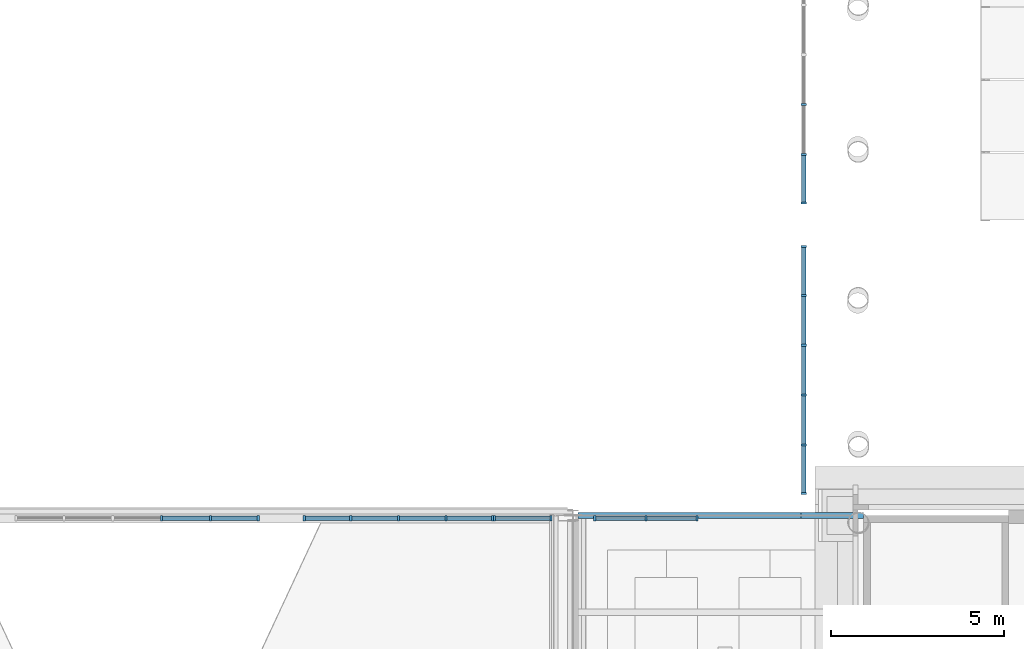
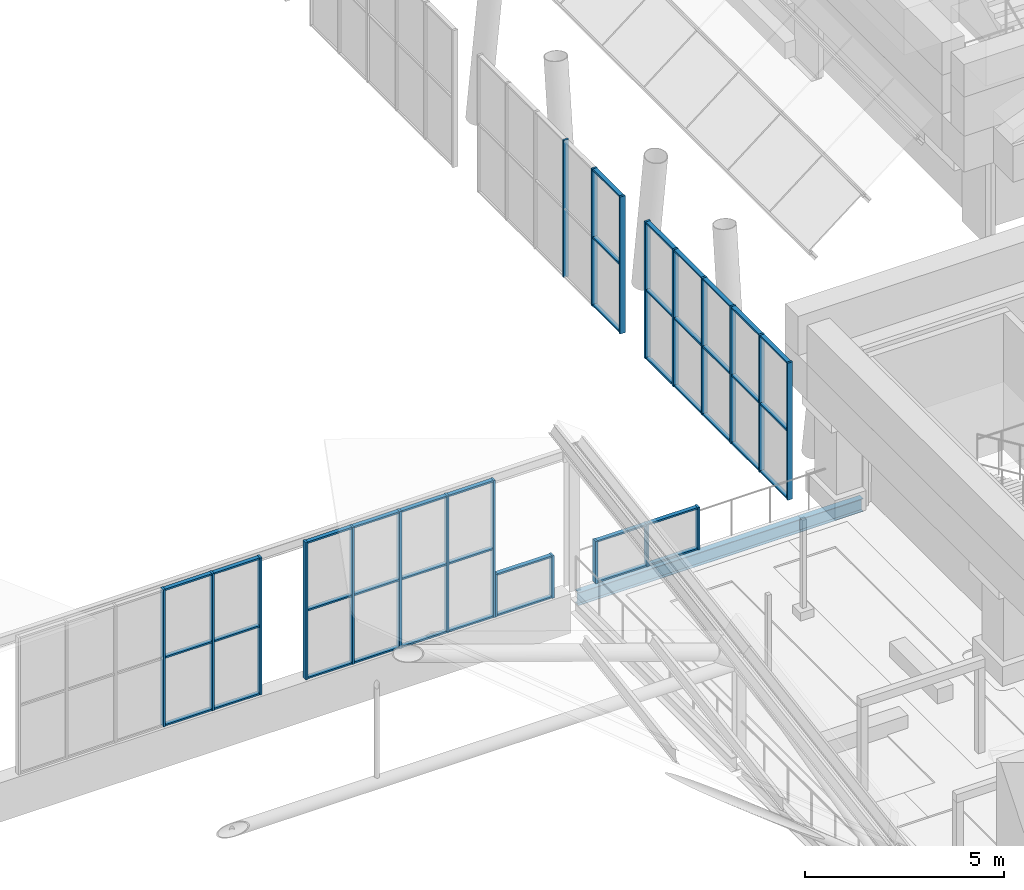
# One storey, part 26 of 76: 64 members, 2 beams, 6 elements without a shape of their own.
"""IFC4 building model written with IfcOpenShell, lengths in metres."""

from ifc_helpers import new_model, si_unit, direction, frame, origin, origin_2d, place, context, subcontext, project, spatial, rectangle, i_section, extrude, material, material_profile, profile_set, type_object, element, aggregate, save


model = new_model("IFC4")

# Units and contexts
model_context = context("Model", 3, precision=1e-05, world=origin(), true_north=direction((0.0, 1.0)))
body_context = subcontext(model_context, "Body", "Model", "MODEL_VIEW")
ifc_project = project(units=[si_unit("LENGTHUNIT", "METRE"), si_unit("AREAUNIT", "SQUARE_METRE"), si_unit("VOLUMEUNIT", "CUBIC_METRE"), si_unit("PLANEANGLEUNIT", "RADIAN"), si_unit("MASSUNIT", "GRAM", prefix="KILO")], contexts=[model_context])

# Site, building, storey
site_placement = place(None, origin())
site = spatial("IfcSite", under=ifc_project, at=site_placement, CompositionType="ELEMENT")
building_placement = place(site_placement, origin())
building = spatial("IfcBuilding", under=site, at=building_placement, Name="Sava Quay Ferry Terminal", CompositionType="ELEMENT")
storey_placement = place(building_placement, frame((0.0, 0.0, 10.800048828125)))
storey = spatial("IfcBuildingStorey", under=building, at=storey_placement, Name="L02", CompositionType="ELEMENT", Elevation=10.800048828125)

# Beams
ifc_material_1 = material(Name="Steel S355", Category="steel")
ifc_material_profile_1 = material_profile(ifc_material_1, i_section(OverallWidth=0.179931640625, OverallDepth=0.39990234375, WebThickness=0.008544921875, FlangeThickness=0.013427734375, at=origin_2d()), Name="IPE 400")
ifc_profile_set_1 = profile_set([ifc_material_profile_1], Name="Steel S355")
beam_type = type_object("IfcBeamType", Name="Beam IPE 400", PredefinedType="BEAM", material=ifc_profile_set_1)
beam_1_placement = place(storey_placement, frame((75.75, 50.39990234375, -0.35009765625), z_axis=(1.0, 0.0, 0.0), x_axis=(0.0, 1.0, 0.0)))
element("IfcBeam", 1, at=beam_1_placement, inside=storey, type_object=beam_type, Name="Beam L02", PredefinedType="BEAM", context=body_context, shape_type="SweptSolid", body=[
    extrude(i_section(OverallWidth=0.179931640625, OverallDepth=0.39990234375, WebThickness=0.008544921875, FlangeThickness=0.013427734375, at=origin_2d()), origin(), (0.0, 0.0, 1.0), 6.449951171875),
])
beam_2_placement = place(storey_placement, frame((82.199951171875, 50.39990234375, -0.35009765625), z_axis=(1.0, 0.0, 0.0), x_axis=(0.0, 1.0, 0.0)))
element("IfcBeam", 2, at=beam_2_placement, inside=storey, type_object=beam_type, Name="Beam L02", PredefinedType="BEAM", context=body_context, shape_type="SweptSolid", body=[
    extrude(i_section(OverallWidth=0.179931640625, OverallDepth=0.39990234375, WebThickness=0.008544921875, FlangeThickness=0.013427734375, at=origin_2d()), origin(), (0.0, 0.0, 1.0), 1.800048828125),
])

# Curtain wall, members
ifc_material_2 = material(Name="Aluminium and glass curtain wall, double low-e glazed", Category="aluminium")
curtain_wall_type_1 = type_object("IfcCurtainWallType", Name="Curtain wall CW-F flank", PredefinedType="NOTDEFINED", material=ifc_material_2)
curtain_wall_1_placement = place(storey_placement, origin())
curtain_wall_1 = element("IfcCurtainWall", 3, at=curtain_wall_1_placement, inside=storey, type_object=curtain_wall_type_1, Name="Curtain wall D-E L02 bay 1", PredefinedType="NOTDEFINED")
ifc_material_3 = material(Name="Aluminium EN AW-6063 T6", Category="aluminium")
ifc_material_profile_2 = material_profile(ifc_material_3, rectangle(XDim=0.14990234375, YDim=0.06005859375, at=origin_2d()), Name="Mullion 60x150 aluminium")
ifc_profile_set_2 = profile_set([ifc_material_profile_2], Name="Aluminium EN AW-6063 T6")
member_type_1 = type_object("IfcMemberType", Name="Mullion 60x150 aluminium", PredefinedType="MULLION", material=ifc_profile_set_2)
member_1_placement = place(storey_placement, frame((82.27490234375, 51.030029296875, 0.0), z_axis=(0.0, 0.0, 1.0), x_axis=(-1.0, 0.0, 0.0)))
member_1 = element("IfcMember", 4, at=member_1_placement, type_object=member_type_1, Name="CW38 mullion 1", PredefinedType="MULLION", context=body_context, shape_type="SweptSolid", body=[
    extrude(rectangle(XDim=0.14990234375, YDim=0.06005859375, at=origin_2d()), origin(), (0.0, 0.0, 1.0), 4.199951171875),
])
member_2_placement = place(storey_placement, frame((82.27490234375, 52.43994140625, 0.0), z_axis=(0.0, 0.0, 1.0), x_axis=(-1.0, 0.0, 0.0)))
member_2 = element("IfcMember", 5, at=member_2_placement, type_object=member_type_1, Name="CW38 mullion 2", PredefinedType="MULLION", context=body_context, shape_type="SweptSolid", body=[
    extrude(rectangle(XDim=0.14990234375, YDim=0.06005859375, at=origin_2d()), origin(), (0.0, 0.0, 1.0), 4.199951171875),
])
member_3_placement = place(storey_placement, frame((82.27490234375, 53.8798828125, 0.0), z_axis=(0.0, 0.0, 1.0), x_axis=(-1.0, 0.0, 0.0)))
member_3 = element("IfcMember", 6, at=member_3_placement, type_object=member_type_1, Name="CW38 mullion 3", PredefinedType="MULLION", context=body_context, shape_type="SweptSolid", body=[
    extrude(rectangle(XDim=0.14990234375, YDim=0.06005859375, at=origin_2d()), origin(), (0.0, 0.0, 1.0), 4.199951171875),
])
member_4_placement = place(storey_placement, frame((82.27490234375, 55.320068359375, 0.0), z_axis=(0.0, 0.0, 1.0), x_axis=(-1.0, 0.0, 0.0)))
member_4 = element("IfcMember", 7, at=member_4_placement, type_object=member_type_1, Name="CW38 mullion 4", PredefinedType="MULLION", context=body_context, shape_type="SweptSolid", body=[
    extrude(rectangle(XDim=0.14990234375, YDim=0.06005859375, at=origin_2d()), origin(), (0.0, 0.0, 1.0), 4.199951171875),
])
member_5_placement = place(storey_placement, frame((82.27490234375, 56.760009765625, 0.0), z_axis=(0.0, 0.0, 1.0), x_axis=(-1.0, 0.0, 0.0)))
member_5 = element("IfcMember", 8, at=member_5_placement, type_object=member_type_1, Name="CW38 mullion 5", PredefinedType="MULLION", context=body_context, shape_type="SweptSolid", body=[
    extrude(rectangle(XDim=0.14990234375, YDim=0.06005859375, at=origin_2d()), origin(), (0.0, 0.0, 1.0), 4.199951171875),
])
member_6_placement = place(storey_placement, frame((82.27490234375, 58.169921875, 0.0), z_axis=(0.0, 0.0, 1.0), x_axis=(-1.0, 0.0, 0.0)))
member_6 = element("IfcMember", 9, at=member_6_placement, type_object=member_type_1, Name="CW38 mullion 6", PredefinedType="MULLION", context=body_context, shape_type="SweptSolid", body=[
    extrude(rectangle(XDim=0.14990234375, YDim=0.06005859375, at=origin_2d()), origin(), (0.0, 0.0, 1.0), 4.199951171875),
])

curtain_wall_2_placement = place(storey_placement, origin())
curtain_wall_2 = element("IfcCurtainWall", 10, at=curtain_wall_2_placement, inside=storey, type_object=curtain_wall_type_1, Name="Curtain wall D-E L02 bay 2", PredefinedType="NOTDEFINED")
member_7_placement = place(storey_placement, frame((82.27490234375, 59.429931640625, 0.0), z_axis=(0.0, 0.0, 1.0), x_axis=(-1.0, 0.0, 0.0)))
member_7 = element("IfcMember", 11, at=member_7_placement, type_object=member_type_1, Name="CW42 mullion 1", PredefinedType="MULLION", context=body_context, shape_type="SweptSolid", body=[
    extrude(rectangle(XDim=0.14990234375, YDim=0.06005859375, at=origin_2d()), origin(), (0.0, 0.0, 1.0), 4.199951171875),
])
member_8_placement = place(storey_placement, frame((82.27490234375, 60.840087890625, 0.0), z_axis=(0.0, 0.0, 1.0), x_axis=(-1.0, 0.0, 0.0)))
member_8 = element("IfcMember", 12, at=member_8_placement, type_object=member_type_1, Name="CW42 mullion 2", PredefinedType="MULLION", context=body_context, shape_type="SweptSolid", body=[
    extrude(rectangle(XDim=0.14990234375, YDim=0.06005859375, at=origin_2d()), origin(), (0.0, 0.0, 1.0), 4.199951171875),
])
member_9_placement = place(storey_placement, frame((82.27490234375, 62.280029296875, 0.0), z_axis=(0.0, 0.0, 1.0), x_axis=(-1.0, 0.0, 0.0)))
member_9 = element("IfcMember", 13, at=member_9_placement, type_object=member_type_1, Name="CW42 mullion 3", PredefinedType="MULLION", context=body_context, shape_type="SweptSolid", body=[
    extrude(rectangle(XDim=0.14990234375, YDim=0.06005859375, at=origin_2d()), origin(), (0.0, 0.0, 1.0), 4.199951171875),
])

ifc_material_4 = material(Name="Aluminium and glass curtain wall, double low-e glazed", Category="aluminium")
curtain_wall_type_2 = type_object("IfcCurtainWallType", Name="Curtain wall CW-G gable", PredefinedType="NOTDEFINED", material=ifc_material_4)
curtain_wall_3_placement = place(storey_placement, origin())
curtain_wall_3 = element("IfcCurtainWall", 14, at=curtain_wall_3_placement, inside=storey, type_object=curtain_wall_type_2, Name="Curtain wall D-S L02 bay 31", PredefinedType="NOTDEFINED")
member_10_placement = place(storey_placement, frame((63.7060546875, 50.31494140625, 0.0), z_axis=(0.0, 0.0, 1.0), x_axis=(0.0, 1.0, 0.0)))
member_10 = element("IfcMember", 15, at=member_10_placement, type_object=member_type_1, Name="CW91 mullion 4", PredefinedType="MULLION", context=body_context, shape_type="SweptSolid", body=[
    extrude(rectangle(XDim=0.14990234375, YDim=0.06005859375, at=origin_2d()), origin(), (0.0, 0.0, 1.0), 4.199951171875),
])
member_11_placement = place(storey_placement, frame((65.117919921875, 50.31494140625, 0.0), z_axis=(0.0, 0.0, 1.0), x_axis=(0.0, 1.0, 0.0)))
member_11 = element("IfcMember", 16, at=member_11_placement, type_object=member_type_1, Name="CW91 mullion 5", PredefinedType="MULLION", context=body_context, shape_type="SweptSolid", body=[
    extrude(rectangle(XDim=0.14990234375, YDim=0.06005859375, at=origin_2d()), origin(), (0.0, 0.0, 1.0), 4.199951171875),
])
member_12_placement = place(storey_placement, frame((66.5, 50.31494140625, 0.0), z_axis=(0.0, 0.0, 1.0), x_axis=(0.0, 1.0, 0.0)))
member_12 = element("IfcMember", 17, at=member_12_placement, type_object=member_type_1, Name="CW91 mullion 6", PredefinedType="MULLION", context=body_context, shape_type="SweptSolid", body=[
    extrude(rectangle(XDim=0.14990234375, YDim=0.06005859375, at=origin_2d()), origin(), (0.0, 0.0, 1.0), 4.199951171875),
])

curtain_wall_4_placement = place(storey_placement, origin())
curtain_wall_4 = element("IfcCurtainWall", 18, at=curtain_wall_4_placement, inside=storey, type_object=curtain_wall_type_2, Name="Curtain wall D-S L02 bay 41", PredefinedType="NOTDEFINED")
member_13_placement = place(storey_placement, frame((67.830078125, 50.31494140625, 0.0), z_axis=(0.0, 0.0, 1.0), x_axis=(0.0, 1.0, 0.0)))
member_13 = element("IfcMember", 19, at=member_13_placement, type_object=member_type_1, Name="CW93 mullion 1", PredefinedType="MULLION", context=body_context, shape_type="SweptSolid", body=[
    extrude(rectangle(XDim=0.14990234375, YDim=0.06005859375, at=origin_2d()), origin(), (0.0, 0.0, 1.0), 4.199951171875),
])
member_14_placement = place(storey_placement, frame((69.175048828125, 50.31494140625, 0.0), z_axis=(0.0, 0.0, 1.0), x_axis=(0.0, 1.0, 0.0)))
member_14 = element("IfcMember", 20, at=member_14_placement, type_object=member_type_1, Name="CW93 mullion 2", PredefinedType="MULLION", context=body_context, shape_type="SweptSolid", body=[
    extrude(rectangle(XDim=0.14990234375, YDim=0.06005859375, at=origin_2d()), origin(), (0.0, 0.0, 1.0), 4.199951171875),
])
member_15_placement = place(storey_placement, frame((70.550048828125, 50.31494140625, 0.0), z_axis=(0.0, 0.0, 1.0), x_axis=(0.0, 1.0, 0.0)))
member_15 = element("IfcMember", 21, at=member_15_placement, type_object=member_type_1, Name="CW93 mullion 3", PredefinedType="MULLION", context=body_context, shape_type="SweptSolid", body=[
    extrude(rectangle(XDim=0.14990234375, YDim=0.06005859375, at=origin_2d()), origin(), (0.0, 0.0, 1.0), 4.199951171875),
])
member_16_placement = place(storey_placement, frame((71.925048828125, 50.31494140625, 0.0), z_axis=(0.0, 0.0, 1.0), x_axis=(0.0, 1.0, 0.0)))
member_16 = element("IfcMember", 22, at=member_16_placement, type_object=member_type_1, Name="CW93 mullion 4", PredefinedType="MULLION", context=body_context, shape_type="SweptSolid", body=[
    extrude(rectangle(XDim=0.14990234375, YDim=0.06005859375, at=origin_2d()), origin(), (0.0, 0.0, 1.0), 4.199951171875),
])
member_17_placement = place(storey_placement, frame((73.27001953125, 50.31494140625, 0.0), z_axis=(0.0, 0.0, 1.0), x_axis=(0.0, 1.0, 0.0)))
member_17 = element("IfcMember", 23, at=member_17_placement, type_object=member_type_1, Name="CW93 mullion 5", PredefinedType="MULLION", context=body_context, shape_type="SweptSolid", body=[
    extrude(rectangle(XDim=0.14990234375, YDim=0.06005859375, at=origin_2d()), origin(), (0.0, 0.0, 1.0), 4.199951171875),
])

curtain_wall_5_placement = place(storey_placement, origin())
curtain_wall_5 = element("IfcCurtainWall", 24, at=curtain_wall_5_placement, inside=storey, type_object=curtain_wall_type_2, Name="Curtain wall D-S L02 bay 51", PredefinedType="NOTDEFINED")
member_18_placement = place(storey_placement, frame((73.330078125, 50.31494140625, 0.0), z_axis=(0.0, 0.0, 1.0), x_axis=(0.0, 1.0, 0.0)))
member_18 = element("IfcMember", 25, at=member_18_placement, type_object=member_type_1, Name="CW94 mullion 1", PredefinedType="MULLION", context=body_context, shape_type="SweptSolid", body=[
    extrude(rectangle(XDim=0.14990234375, YDim=0.06005859375, at=origin_2d()), origin(), (0.0, 0.0, 1.0), 1.300048828125),
])
member_19_placement = place(storey_placement, frame((74.969970703125, 50.31494140625, 0.0), z_axis=(0.0, 0.0, 1.0), x_axis=(0.0, 1.0, 0.0)))
member_19 = element("IfcMember", 26, at=member_19_placement, type_object=member_type_1, Name="CW94 mullion 2", PredefinedType="MULLION", context=body_context, shape_type="SweptSolid", body=[
    extrude(rectangle(XDim=0.14990234375, YDim=0.06005859375, at=origin_2d()), origin(), (0.0, 0.0, 1.0), 1.300048828125),
])

curtain_wall_6_placement = place(storey_placement, origin())
curtain_wall_6 = element("IfcCurtainWall", 27, at=curtain_wall_6_placement, inside=storey, type_object=curtain_wall_type_2, Name="Curtain wall D-S L02 bay 52", PredefinedType="NOTDEFINED")
member_20_placement = place(storey_placement, frame((76.22998046875, 50.31494140625, 0.0), z_axis=(0.0, 0.0, 1.0), x_axis=(0.0, 1.0, 0.0)))
member_20 = element("IfcMember", 28, at=member_20_placement, type_object=member_type_1, Name="CW95 mullion 1", PredefinedType="MULLION", context=body_context, shape_type="SweptSolid", body=[
    extrude(rectangle(XDim=0.14990234375, YDim=0.06005859375, at=origin_2d()), origin(), (0.0, 0.0, 1.0), 1.300048828125),
])
member_21_placement = place(storey_placement, frame((77.7099609375, 50.31494140625, 0.0), z_axis=(0.0, 0.0, 1.0), x_axis=(0.0, 1.0, 0.0)))
member_21 = element("IfcMember", 29, at=member_21_placement, type_object=member_type_1, Name="CW95 mullion 2", PredefinedType="MULLION", context=body_context, shape_type="SweptSolid", body=[
    extrude(rectangle(XDim=0.14990234375, YDim=0.06005859375, at=origin_2d()), origin(), (0.0, 0.0, 1.0), 1.300048828125),
])
member_22_placement = place(storey_placement, frame((79.18994140625, 50.31494140625, 0.0), z_axis=(0.0, 0.0, 1.0), x_axis=(0.0, 1.0, 0.0)))
member_22 = element("IfcMember", 30, at=member_22_placement, type_object=member_type_1, Name="CW95 mullion 3", PredefinedType="MULLION", context=body_context, shape_type="SweptSolid", body=[
    extrude(rectangle(XDim=0.14990234375, YDim=0.06005859375, at=origin_2d()), origin(), (0.0, 0.0, 1.0), 1.300048828125),
])

# Member
ifc_material_5 = material(Name="Aluminium EN AW-6063 T6", Category="aluminium")
ifc_material_profile_3 = material_profile(ifc_material_5, rectangle(XDim=0.1201171875, YDim=0.050048828125, at=origin_2d()), Name="Transom 50x120 aluminium")
ifc_profile_set_3 = profile_set([ifc_material_profile_3], Name="Aluminium EN AW-6063 T6")
member_type_2 = type_object("IfcMemberType", Name="Transom 50x120 aluminium", PredefinedType="USERDEFINED", material=ifc_profile_set_3)
member_23_placement = place(storey_placement, frame((82.27490234375, 51.06005859375, 0.02490234375), z_axis=(0.0, 1.0, 0.0), x_axis=(-1.0, 0.0, 0.0)))
member_23 = element("IfcMember", 31, at=member_23_placement, type_object=member_type_2, Name="CW38 transom 1.1", ObjectType="TRANSOM", PredefinedType="USERDEFINED", context=body_context, shape_type="SweptSolid", body=[
    extrude(rectangle(XDim=0.1201171875, YDim=0.050048828125, at=origin_2d()), origin(), (0.0, 0.0, 1.0), 1.349853515625),
])

member_24_placement = place(storey_placement, frame((82.27490234375, 51.06005859375, 2.099853515625), z_axis=(0.0, 1.0, 0.0), x_axis=(-1.0, 0.0, 0.0)))
member_24 = element("IfcMember", 32, at=member_24_placement, type_object=member_type_2, Name="CW38 transom 1.2", ObjectType="TRANSOM", PredefinedType="USERDEFINED", context=body_context, shape_type="SweptSolid", body=[
    extrude(rectangle(XDim=0.1201171875, YDim=0.050048828125, at=origin_2d()), origin(), (0.0, 0.0, 1.0), 1.349853515625),
])

member_25_placement = place(storey_placement, frame((82.27490234375, 51.06005859375, 4.175048828125), z_axis=(0.0, 1.0, 0.0), x_axis=(-1.0, 0.0, 0.0)))
member_25 = element("IfcMember", 33, at=member_25_placement, type_object=member_type_2, Name="CW38 transom 1.3", ObjectType="TRANSOM", PredefinedType="USERDEFINED", context=body_context, shape_type="SweptSolid", body=[
    extrude(rectangle(XDim=0.1201171875, YDim=0.050048828125, at=origin_2d()), origin(), (0.0, 0.0, 1.0), 1.349853515625),
])

member_26_placement = place(storey_placement, frame((82.27490234375, 52.469970703125, 0.02490234375), z_axis=(0.0, 1.0, 0.0), x_axis=(-1.0, 0.0, 0.0)))
member_26 = element("IfcMember", 34, at=member_26_placement, type_object=member_type_2, Name="CW38 transom 2.1", ObjectType="TRANSOM", PredefinedType="USERDEFINED", context=body_context, shape_type="SweptSolid", body=[
    extrude(rectangle(XDim=0.1201171875, YDim=0.050048828125, at=origin_2d()), origin(), (0.0, 0.0, 1.0), 1.380126953125),
])

member_27_placement = place(storey_placement, frame((82.27490234375, 52.469970703125, 2.099853515625), z_axis=(0.0, 1.0, 0.0), x_axis=(-1.0, 0.0, 0.0)))
member_27 = element("IfcMember", 35, at=member_27_placement, type_object=member_type_2, Name="CW38 transom 2.2", ObjectType="TRANSOM", PredefinedType="USERDEFINED", context=body_context, shape_type="SweptSolid", body=[
    extrude(rectangle(XDim=0.1201171875, YDim=0.050048828125, at=origin_2d()), origin(), (0.0, 0.0, 1.0), 1.380126953125),
])

member_28_placement = place(storey_placement, frame((82.27490234375, 52.469970703125, 4.175048828125), z_axis=(0.0, 1.0, 0.0), x_axis=(-1.0, 0.0, 0.0)))
member_28 = element("IfcMember", 36, at=member_28_placement, type_object=member_type_2, Name="CW38 transom 2.3", ObjectType="TRANSOM", PredefinedType="USERDEFINED", context=body_context, shape_type="SweptSolid", body=[
    extrude(rectangle(XDim=0.1201171875, YDim=0.050048828125, at=origin_2d()), origin(), (0.0, 0.0, 1.0), 1.380126953125),
])

member_29_placement = place(storey_placement, frame((82.27490234375, 53.909912109375, 0.02490234375), z_axis=(0.0, 1.0, 0.0), x_axis=(-1.0, 0.0, 0.0)))
member_29 = element("IfcMember", 37, at=member_29_placement, type_object=member_type_2, Name="CW38 transom 3.1", ObjectType="TRANSOM", PredefinedType="USERDEFINED", context=body_context, shape_type="SweptSolid", body=[
    extrude(rectangle(XDim=0.1201171875, YDim=0.050048828125, at=origin_2d()), origin(), (0.0, 0.0, 1.0), 1.380126953125),
])

member_30_placement = place(storey_placement, frame((82.27490234375, 53.909912109375, 2.099853515625), z_axis=(0.0, 1.0, 0.0), x_axis=(-1.0, 0.0, 0.0)))
member_30 = element("IfcMember", 38, at=member_30_placement, type_object=member_type_2, Name="CW38 transom 3.2", ObjectType="TRANSOM", PredefinedType="USERDEFINED", context=body_context, shape_type="SweptSolid", body=[
    extrude(rectangle(XDim=0.1201171875, YDim=0.050048828125, at=origin_2d()), origin(), (0.0, 0.0, 1.0), 1.380126953125),
])

member_31_placement = place(storey_placement, frame((82.27490234375, 53.909912109375, 4.175048828125), z_axis=(0.0, 1.0, 0.0), x_axis=(-1.0, 0.0, 0.0)))
member_31 = element("IfcMember", 39, at=member_31_placement, type_object=member_type_2, Name="CW38 transom 3.3", ObjectType="TRANSOM", PredefinedType="USERDEFINED", context=body_context, shape_type="SweptSolid", body=[
    extrude(rectangle(XDim=0.1201171875, YDim=0.050048828125, at=origin_2d()), origin(), (0.0, 0.0, 1.0), 1.380126953125),
])

member_32_placement = place(storey_placement, frame((82.27490234375, 55.35009765625, 0.02490234375), z_axis=(0.0, 1.0, 0.0), x_axis=(-1.0, 0.0, 0.0)))
member_32 = element("IfcMember", 40, at=member_32_placement, type_object=member_type_2, Name="CW38 transom 4.1", ObjectType="TRANSOM", PredefinedType="USERDEFINED", context=body_context, shape_type="SweptSolid", body=[
    extrude(rectangle(XDim=0.1201171875, YDim=0.050048828125, at=origin_2d()), origin(), (0.0, 0.0, 1.0), 1.3798828125),
])

member_33_placement = place(storey_placement, frame((82.27490234375, 55.35009765625, 2.099853515625), z_axis=(0.0, 1.0, 0.0), x_axis=(-1.0, 0.0, 0.0)))
member_33 = element("IfcMember", 41, at=member_33_placement, type_object=member_type_2, Name="CW38 transom 4.2", ObjectType="TRANSOM", PredefinedType="USERDEFINED", context=body_context, shape_type="SweptSolid", body=[
    extrude(rectangle(XDim=0.1201171875, YDim=0.050048828125, at=origin_2d()), origin(), (0.0, 0.0, 1.0), 1.3798828125),
])

member_34_placement = place(storey_placement, frame((82.27490234375, 55.35009765625, 4.175048828125), z_axis=(0.0, 1.0, 0.0), x_axis=(-1.0, 0.0, 0.0)))
member_34 = element("IfcMember", 42, at=member_34_placement, type_object=member_type_2, Name="CW38 transom 4.3", ObjectType="TRANSOM", PredefinedType="USERDEFINED", context=body_context, shape_type="SweptSolid", body=[
    extrude(rectangle(XDim=0.1201171875, YDim=0.050048828125, at=origin_2d()), origin(), (0.0, 0.0, 1.0), 1.3798828125),
])

member_35_placement = place(storey_placement, frame((82.27490234375, 56.7900390625, 0.02490234375), z_axis=(0.0, 1.0, 0.0), x_axis=(-1.0, 0.0, 0.0)))
member_35 = element("IfcMember", 43, at=member_35_placement, type_object=member_type_2, Name="CW38 transom 5.1", ObjectType="TRANSOM", PredefinedType="USERDEFINED", context=body_context, shape_type="SweptSolid", body=[
    extrude(rectangle(XDim=0.1201171875, YDim=0.050048828125, at=origin_2d()), origin(), (0.0, 0.0, 1.0), 1.349853515625),
])

member_36_placement = place(storey_placement, frame((82.27490234375, 56.7900390625, 2.099853515625), z_axis=(0.0, 1.0, 0.0), x_axis=(-1.0, 0.0, 0.0)))
member_36 = element("IfcMember", 44, at=member_36_placement, type_object=member_type_2, Name="CW38 transom 5.2", ObjectType="TRANSOM", PredefinedType="USERDEFINED", context=body_context, shape_type="SweptSolid", body=[
    extrude(rectangle(XDim=0.1201171875, YDim=0.050048828125, at=origin_2d()), origin(), (0.0, 0.0, 1.0), 1.349853515625),
])

member_37_placement = place(storey_placement, frame((82.27490234375, 56.7900390625, 4.175048828125), z_axis=(0.0, 1.0, 0.0), x_axis=(-1.0, 0.0, 0.0)))
member_37 = element("IfcMember", 45, at=member_37_placement, type_object=member_type_2, Name="CW38 transom 5.3", ObjectType="TRANSOM", PredefinedType="USERDEFINED", context=body_context, shape_type="SweptSolid", body=[
    extrude(rectangle(XDim=0.1201171875, YDim=0.050048828125, at=origin_2d()), origin(), (0.0, 0.0, 1.0), 1.349853515625),
])

aggregate(curtain_wall_1, [member_1, member_2, member_3, member_4, member_5, member_6, member_23, member_24, member_25, member_26, member_27, member_28, member_29, member_30, member_31, member_32, member_33, member_34, member_35, member_36, member_37])

member_38_placement = place(storey_placement, frame((82.27490234375, 59.4599609375, 0.02490234375), z_axis=(0.0, 1.0, 0.0), x_axis=(-1.0, 0.0, 0.0)))
member_38 = element("IfcMember", 46, at=member_38_placement, type_object=member_type_2, Name="CW42 transom 1.1", ObjectType="TRANSOM", PredefinedType="USERDEFINED", context=body_context, shape_type="SweptSolid", body=[
    extrude(rectangle(XDim=0.1201171875, YDim=0.050048828125, at=origin_2d()), origin(), (0.0, 0.0, 1.0), 1.35009765625),
])

member_39_placement = place(storey_placement, frame((82.27490234375, 59.4599609375, 2.099853515625), z_axis=(0.0, 1.0, 0.0), x_axis=(-1.0, 0.0, 0.0)))
member_39 = element("IfcMember", 47, at=member_39_placement, type_object=member_type_2, Name="CW42 transom 1.2", ObjectType="TRANSOM", PredefinedType="USERDEFINED", context=body_context, shape_type="SweptSolid", body=[
    extrude(rectangle(XDim=0.1201171875, YDim=0.050048828125, at=origin_2d()), origin(), (0.0, 0.0, 1.0), 1.35009765625),
])

member_40_placement = place(storey_placement, frame((82.27490234375, 59.4599609375, 4.175048828125), z_axis=(0.0, 1.0, 0.0), x_axis=(-1.0, 0.0, 0.0)))
member_40 = element("IfcMember", 48, at=member_40_placement, type_object=member_type_2, Name="CW42 transom 1.3", ObjectType="TRANSOM", PredefinedType="USERDEFINED", context=body_context, shape_type="SweptSolid", body=[
    extrude(rectangle(XDim=0.1201171875, YDim=0.050048828125, at=origin_2d()), origin(), (0.0, 0.0, 1.0), 1.35009765625),
])

aggregate(curtain_wall_2, [member_7, member_8, member_9, member_38, member_39, member_40])

member_41_placement = place(storey_placement, frame((63.736083984375, 50.31494140625, 0.02490234375), z_axis=(1.0, 0.0, 0.0), x_axis=(0.0, 1.0, 0.0)))
member_41 = element("IfcMember", 49, at=member_41_placement, type_object=member_type_2, Name="CW91 transom 4.1", ObjectType="TRANSOM", PredefinedType="USERDEFINED", context=body_context, shape_type="SweptSolid", body=[
    extrude(rectangle(XDim=0.1201171875, YDim=0.050048828125, at=origin_2d()), origin(), (0.0, 0.0, 1.0), 1.351806640625),
])

member_42_placement = place(storey_placement, frame((63.736083984375, 50.31494140625, 2.099853515625), z_axis=(1.0, 0.0, 0.0), x_axis=(0.0, 1.0, 0.0)))
member_42 = element("IfcMember", 50, at=member_42_placement, type_object=member_type_2, Name="CW91 transom 4.2", ObjectType="TRANSOM", PredefinedType="USERDEFINED", context=body_context, shape_type="SweptSolid", body=[
    extrude(rectangle(XDim=0.1201171875, YDim=0.050048828125, at=origin_2d()), origin(), (0.0, 0.0, 1.0), 1.351806640625),
])

member_43_placement = place(storey_placement, frame((63.736083984375, 50.31494140625, 4.175048828125), z_axis=(1.0, 0.0, 0.0), x_axis=(0.0, 1.0, 0.0)))
member_43 = element("IfcMember", 51, at=member_43_placement, type_object=member_type_2, Name="CW91 transom 4.3", ObjectType="TRANSOM", PredefinedType="USERDEFINED", context=body_context, shape_type="SweptSolid", body=[
    extrude(rectangle(XDim=0.1201171875, YDim=0.050048828125, at=origin_2d()), origin(), (0.0, 0.0, 1.0), 1.351806640625),
])

member_44_placement = place(storey_placement, frame((65.14794921875, 50.31494140625, 0.02490234375), z_axis=(1.0, 0.0, 0.0), x_axis=(0.0, 1.0, 0.0)))
member_44 = element("IfcMember", 52, at=member_44_placement, type_object=member_type_2, Name="CW91 transom 5.1", ObjectType="TRANSOM", PredefinedType="USERDEFINED", context=body_context, shape_type="SweptSolid", body=[
    extrude(rectangle(XDim=0.1201171875, YDim=0.050048828125, at=origin_2d()), origin(), (0.0, 0.0, 1.0), 1.322021484375),
])

member_45_placement = place(storey_placement, frame((65.14794921875, 50.31494140625, 2.099853515625), z_axis=(1.0, 0.0, 0.0), x_axis=(0.0, 1.0, 0.0)))
member_45 = element("IfcMember", 53, at=member_45_placement, type_object=member_type_2, Name="CW91 transom 5.2", ObjectType="TRANSOM", PredefinedType="USERDEFINED", context=body_context, shape_type="SweptSolid", body=[
    extrude(rectangle(XDim=0.1201171875, YDim=0.050048828125, at=origin_2d()), origin(), (0.0, 0.0, 1.0), 1.322021484375),
])

member_46_placement = place(storey_placement, frame((65.14794921875, 50.31494140625, 4.175048828125), z_axis=(1.0, 0.0, 0.0), x_axis=(0.0, 1.0, 0.0)))
member_46 = element("IfcMember", 54, at=member_46_placement, type_object=member_type_2, Name="CW91 transom 5.3", ObjectType="TRANSOM", PredefinedType="USERDEFINED", context=body_context, shape_type="SweptSolid", body=[
    extrude(rectangle(XDim=0.1201171875, YDim=0.050048828125, at=origin_2d()), origin(), (0.0, 0.0, 1.0), 1.322021484375),
])

aggregate(curtain_wall_3, [member_10, member_11, member_12, member_41, member_42, member_43, member_44, member_45, member_46])

member_47_placement = place(storey_placement, frame((67.860107421875, 50.31494140625, 0.02490234375), z_axis=(1.0, 0.0, 0.0), x_axis=(0.0, 1.0, 0.0)))
member_47 = element("IfcMember", 55, at=member_47_placement, type_object=member_type_2, Name="CW93 transom 1.1", ObjectType="TRANSOM", PredefinedType="USERDEFINED", context=body_context, shape_type="SweptSolid", body=[
    extrude(rectangle(XDim=0.1201171875, YDim=0.050048828125, at=origin_2d()), origin(), (0.0, 0.0, 1.0), 1.284912109375),
])

member_48_placement = place(storey_placement, frame((67.860107421875, 50.31494140625, 2.099853515625), z_axis=(1.0, 0.0, 0.0), x_axis=(0.0, 1.0, 0.0)))
member_48 = element("IfcMember", 56, at=member_48_placement, type_object=member_type_2, Name="CW93 transom 1.2", ObjectType="TRANSOM", PredefinedType="USERDEFINED", context=body_context, shape_type="SweptSolid", body=[
    extrude(rectangle(XDim=0.1201171875, YDim=0.050048828125, at=origin_2d()), origin(), (0.0, 0.0, 1.0), 1.284912109375),
])

member_49_placement = place(storey_placement, frame((67.860107421875, 50.31494140625, 4.175048828125), z_axis=(1.0, 0.0, 0.0), x_axis=(0.0, 1.0, 0.0)))
member_49 = element("IfcMember", 57, at=member_49_placement, type_object=member_type_2, Name="CW93 transom 1.3", ObjectType="TRANSOM", PredefinedType="USERDEFINED", context=body_context, shape_type="SweptSolid", body=[
    extrude(rectangle(XDim=0.1201171875, YDim=0.050048828125, at=origin_2d()), origin(), (0.0, 0.0, 1.0), 1.284912109375),
])

member_50_placement = place(storey_placement, frame((69.205078125, 50.31494140625, 0.02490234375), z_axis=(1.0, 0.0, 0.0), x_axis=(0.0, 1.0, 0.0)))
member_50 = element("IfcMember", 58, at=member_50_placement, type_object=member_type_2, Name="CW93 transom 2.1", ObjectType="TRANSOM", PredefinedType="USERDEFINED", context=body_context, shape_type="SweptSolid", body=[
    extrude(rectangle(XDim=0.1201171875, YDim=0.050048828125, at=origin_2d()), origin(), (0.0, 0.0, 1.0), 1.31494140625),
])

member_51_placement = place(storey_placement, frame((69.205078125, 50.31494140625, 2.099853515625), z_axis=(1.0, 0.0, 0.0), x_axis=(0.0, 1.0, 0.0)))
member_51 = element("IfcMember", 59, at=member_51_placement, type_object=member_type_2, Name="CW93 transom 2.2", ObjectType="TRANSOM", PredefinedType="USERDEFINED", context=body_context, shape_type="SweptSolid", body=[
    extrude(rectangle(XDim=0.1201171875, YDim=0.050048828125, at=origin_2d()), origin(), (0.0, 0.0, 1.0), 1.31494140625),
])

member_52_placement = place(storey_placement, frame((69.205078125, 50.31494140625, 4.175048828125), z_axis=(1.0, 0.0, 0.0), x_axis=(0.0, 1.0, 0.0)))
member_52 = element("IfcMember", 60, at=member_52_placement, type_object=member_type_2, Name="CW93 transom 2.3", ObjectType="TRANSOM", PredefinedType="USERDEFINED", context=body_context, shape_type="SweptSolid", body=[
    extrude(rectangle(XDim=0.1201171875, YDim=0.050048828125, at=origin_2d()), origin(), (0.0, 0.0, 1.0), 1.31494140625),
])

member_53_placement = place(storey_placement, frame((70.580078125, 50.31494140625, 0.02490234375), z_axis=(1.0, 0.0, 0.0), x_axis=(0.0, 1.0, 0.0)))
member_53 = element("IfcMember", 61, at=member_53_placement, type_object=member_type_2, Name="CW93 transom 3.1", ObjectType="TRANSOM", PredefinedType="USERDEFINED", context=body_context, shape_type="SweptSolid", body=[
    extrude(rectangle(XDim=0.1201171875, YDim=0.050048828125, at=origin_2d()), origin(), (0.0, 0.0, 1.0), 1.31494140625),
])

member_54_placement = place(storey_placement, frame((70.580078125, 50.31494140625, 2.099853515625), z_axis=(1.0, 0.0, 0.0), x_axis=(0.0, 1.0, 0.0)))
member_54 = element("IfcMember", 62, at=member_54_placement, type_object=member_type_2, Name="CW93 transom 3.2", ObjectType="TRANSOM", PredefinedType="USERDEFINED", context=body_context, shape_type="SweptSolid", body=[
    extrude(rectangle(XDim=0.1201171875, YDim=0.050048828125, at=origin_2d()), origin(), (0.0, 0.0, 1.0), 1.31494140625),
])

member_55_placement = place(storey_placement, frame((70.580078125, 50.31494140625, 4.175048828125), z_axis=(1.0, 0.0, 0.0), x_axis=(0.0, 1.0, 0.0)))
member_55 = element("IfcMember", 63, at=member_55_placement, type_object=member_type_2, Name="CW93 transom 3.3", ObjectType="TRANSOM", PredefinedType="USERDEFINED", context=body_context, shape_type="SweptSolid", body=[
    extrude(rectangle(XDim=0.1201171875, YDim=0.050048828125, at=origin_2d()), origin(), (0.0, 0.0, 1.0), 1.31494140625),
])

member_56_placement = place(storey_placement, frame((71.955078125, 50.31494140625, 0.02490234375), z_axis=(1.0, 0.0, 0.0), x_axis=(0.0, 1.0, 0.0)))
member_56 = element("IfcMember", 64, at=member_56_placement, type_object=member_type_2, Name="CW93 transom 4.1", ObjectType="TRANSOM", PredefinedType="USERDEFINED", context=body_context, shape_type="SweptSolid", body=[
    extrude(rectangle(XDim=0.1201171875, YDim=0.050048828125, at=origin_2d()), origin(), (0.0, 0.0, 1.0), 1.284912109375),
])

member_57_placement = place(storey_placement, frame((71.955078125, 50.31494140625, 2.099853515625), z_axis=(1.0, 0.0, 0.0), x_axis=(0.0, 1.0, 0.0)))
member_57 = element("IfcMember", 65, at=member_57_placement, type_object=member_type_2, Name="CW93 transom 4.2", ObjectType="TRANSOM", PredefinedType="USERDEFINED", context=body_context, shape_type="SweptSolid", body=[
    extrude(rectangle(XDim=0.1201171875, YDim=0.050048828125, at=origin_2d()), origin(), (0.0, 0.0, 1.0), 1.284912109375),
])

member_58_placement = place(storey_placement, frame((71.955078125, 50.31494140625, 4.175048828125), z_axis=(1.0, 0.0, 0.0), x_axis=(0.0, 1.0, 0.0)))
member_58 = element("IfcMember", 66, at=member_58_placement, type_object=member_type_2, Name="CW93 transom 4.3", ObjectType="TRANSOM", PredefinedType="USERDEFINED", context=body_context, shape_type="SweptSolid", body=[
    extrude(rectangle(XDim=0.1201171875, YDim=0.050048828125, at=origin_2d()), origin(), (0.0, 0.0, 1.0), 1.284912109375),
])

aggregate(curtain_wall_4, [member_13, member_14, member_15, member_16, member_17, member_47, member_48, member_49, member_50, member_51, member_52, member_53, member_54, member_55, member_56, member_57, member_58])

member_59_placement = place(storey_placement, frame((73.360107421875, 50.31494140625, 0.02490234375), z_axis=(1.0, 0.0, 0.0), x_axis=(0.0, 1.0, 0.0)))
member_59 = element("IfcMember", 67, at=member_59_placement, type_object=member_type_2, Name="CW94 transom 1.1", ObjectType="TRANSOM", PredefinedType="USERDEFINED", context=body_context, shape_type="SweptSolid", body=[
    extrude(rectangle(XDim=0.1201171875, YDim=0.050048828125, at=origin_2d()), origin(), (0.0, 0.0, 1.0), 1.579833984375),
])

member_60_placement = place(storey_placement, frame((73.360107421875, 50.31494140625, 1.27490234375), z_axis=(1.0, 0.0, 0.0), x_axis=(0.0, 1.0, 0.0)))
member_60 = element("IfcMember", 68, at=member_60_placement, type_object=member_type_2, Name="CW94 transom 1.2", ObjectType="TRANSOM", PredefinedType="USERDEFINED", context=body_context, shape_type="SweptSolid", body=[
    extrude(rectangle(XDim=0.1201171875, YDim=0.050048828125, at=origin_2d()), origin(), (0.0, 0.0, 1.0), 1.579833984375),
])

aggregate(curtain_wall_5, [member_18, member_19, member_59, member_60])

member_61_placement = place(storey_placement, frame((76.260009765625, 50.31494140625, 0.02490234375), z_axis=(1.0, 0.0, 0.0), x_axis=(0.0, 1.0, 0.0)))
member_61 = element("IfcMember", 69, at=member_61_placement, type_object=member_type_2, Name="CW95 transom 1.1", ObjectType="TRANSOM", PredefinedType="USERDEFINED", context=body_context, shape_type="SweptSolid", body=[
    extrude(rectangle(XDim=0.1201171875, YDim=0.050048828125, at=origin_2d()), origin(), (0.0, 0.0, 1.0), 1.419921875),
])

member_62_placement = place(storey_placement, frame((76.260009765625, 50.31494140625, 1.27490234375), z_axis=(1.0, 0.0, 0.0), x_axis=(0.0, 1.0, 0.0)))
member_62 = element("IfcMember", 70, at=member_62_placement, type_object=member_type_2, Name="CW95 transom 1.2", ObjectType="TRANSOM", PredefinedType="USERDEFINED", context=body_context, shape_type="SweptSolid", body=[
    extrude(rectangle(XDim=0.1201171875, YDim=0.050048828125, at=origin_2d()), origin(), (0.0, 0.0, 1.0), 1.419921875),
])

member_63_placement = place(storey_placement, frame((77.739990234375, 50.31494140625, 0.02490234375), z_axis=(1.0, 0.0, 0.0), x_axis=(0.0, 1.0, 0.0)))
member_63 = element("IfcMember", 71, at=member_63_placement, type_object=member_type_2, Name="CW95 transom 2.1", ObjectType="TRANSOM", PredefinedType="USERDEFINED", context=body_context, shape_type="SweptSolid", body=[
    extrude(rectangle(XDim=0.1201171875, YDim=0.050048828125, at=origin_2d()), origin(), (0.0, 0.0, 1.0), 1.419921875),
])

member_64_placement = place(storey_placement, frame((77.739990234375, 50.31494140625, 1.27490234375), z_axis=(1.0, 0.0, 0.0), x_axis=(0.0, 1.0, 0.0)))
member_64 = element("IfcMember", 72, at=member_64_placement, type_object=member_type_2, Name="CW95 transom 2.2", ObjectType="TRANSOM", PredefinedType="USERDEFINED", context=body_context, shape_type="SweptSolid", body=[
    extrude(rectangle(XDim=0.1201171875, YDim=0.050048828125, at=origin_2d()), origin(), (0.0, 0.0, 1.0), 1.419921875),
])

aggregate(curtain_wall_6, [member_20, member_21, member_22, member_61, member_62, member_63, member_64])

save(model, "model.ifc")
